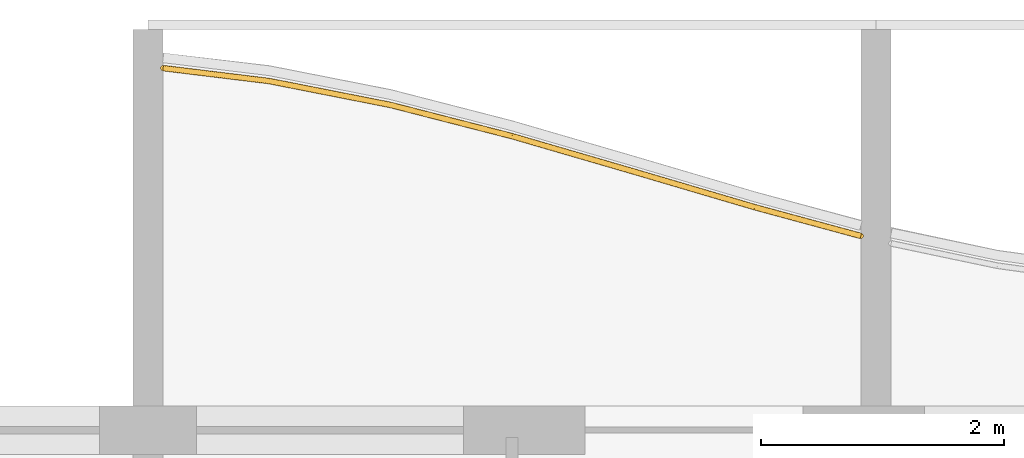
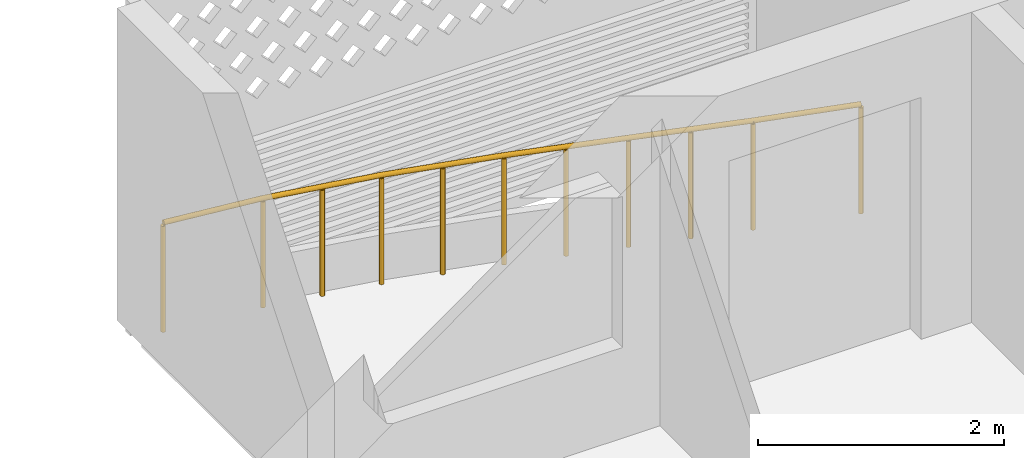
# One storey, part 16 of 27: 1 railing.
"""IFC4 building model written with IfcOpenShell, lengths in metres."""

from ifc_helpers import new_model, si_unit, direction, frame, origin, origin_2d, place, context, subcontext, project, spatial, circle, extrude, material, type_object, element, save


model = new_model("IFC4")

# Units and contexts
model_context = context("Model", 3, precision=1e-05, world=origin(), true_north=direction((0.0, 1.0)))
body_context = subcontext(model_context, "Body", "Model", "MODEL_VIEW")
ifc_project = project(units=[si_unit("LENGTHUNIT", "METRE"), si_unit("AREAUNIT", "SQUARE_METRE"), si_unit("VOLUMEUNIT", "CUBIC_METRE"), si_unit("PLANEANGLEUNIT", "RADIAN"), si_unit("MASSUNIT", "GRAM", prefix="KILO")], contexts=[model_context])

# Site, building, storey
site_placement = place(None, origin())
site = spatial("IfcSite", under=ifc_project, at=site_placement, CompositionType="ELEMENT")
building_placement = place(site_placement, origin())
building = spatial("IfcBuilding", under=site, at=building_placement, Name="Poui Terraces", CompositionType="ELEMENT")
storey_placement = place(building_placement, frame((0.0, 0.0, 251.10009765625)))
storey = spatial("IfcBuildingStorey", under=building, at=storey_placement, Name="L70", CompositionType="ELEMENT", Elevation=251.10009765625)

# Railing
ifc_material = material(Name="Painted steel fretwork", Category="steel")
railing_type = type_object("IfcRailingType", Name="BALCONY GUARD 1100", PredefinedType="GUARDRAIL", material=ifc_material)
railing_placement = place(storey_placement, frame((30.125, 44.18359375, 0.0)))
element("IfcRailing", 1, at=railing_placement, inside=storey, type_object=railing_type, Name="BALCONY GUARD", PredefinedType="GUARDRAIL", context=body_context, shape_type="SweptSolid", body=[
    extrude(circle(Radius=0.02392578125, at=origin_2d()), frame((0.0, 0.0, 1.076171875), z_axis=(0.992648312578, -0.121034406416, 0.0), x_axis=(0.121034406416, 0.992648312578, 0.0)), (0.0, 0.0, 1.0), 0.881591796875),
    extrude(circle(Radius=0.02392578125, at=origin_2d()), frame((0.875, -0.106689453125, 1.076171875), z_axis=(0.981138637459, -0.19330539073, 0.0), x_axis=(0.19330539073, 0.981138637459, 0.0)), (0.0, 0.0, 1.0), 1.019287109375),
    extrude(circle(Radius=0.02392578125, at=origin_2d()), frame((1.875, -0.3037109375, 1.076171875), z_axis=(0.968564592705, -0.248762195197, 0.0), x_axis=(0.248762195197, 0.968564592705, 0.0)), (0.0, 0.0, 1.0), 1.032470703125),
    extrude(circle(Radius=0.02392578125, at=origin_2d()), frame((2.875, -0.560546875, 1.076171875), z_axis=(0.960230728662, -0.279207714316, 0.0), x_axis=(0.279207714316, 0.960230728662, 0.0)), (0.0, 0.0, 1.0), 1.04150390625),
    extrude(circle(Radius=0.02392578125, at=origin_2d()), frame((3.875, -0.851318359375, 1.076171875), z_axis=(0.959219941058, -0.282660758998, 0.0), x_axis=(0.282660758998, 0.959219941058, 0.0)), (0.0, 0.0, 1.0), 1.04248046875),
    extrude(circle(Radius=0.02392578125, at=origin_2d()), frame((4.875, -1.14599609375, 1.076171875), z_axis=(0.965203717149, -0.261499109752, 0.0), x_axis=(0.261499109752, 0.965203717149, 0.0)), (0.0, 0.0, 1.0), 0.906494140625),
    extrude(circle(Radius=0.02099609375, at=origin_2d()), origin(), (0.0, 0.0, 1.0), 1.052001953125),
    extrude(circle(Radius=0.02099609375, at=origin_2d()), frame((0.875, -0.106689453125, 0.0)), (0.0, 0.0, 1.0), 1.052001953125),
    extrude(circle(Radius=0.02099609375, at=origin_2d()), frame((1.375, -0.205078125, 0.0)), (0.0, 0.0, 1.0), 1.052001953125),
    extrude(circle(Radius=0.02099609375, at=origin_2d()), frame((1.875, -0.3037109375, 0.0)), (0.0, 0.0, 1.0), 1.052001953125),
    extrude(circle(Radius=0.02099609375, at=origin_2d()), frame((2.375, -0.43212890625, 0.0)), (0.0, 0.0, 1.0), 1.052001953125),
    extrude(circle(Radius=0.02099609375, at=origin_2d()), frame((2.875, -0.560546875, 0.0)), (0.0, 0.0, 1.0), 1.052001953125),
    extrude(circle(Radius=0.02099609375, at=origin_2d()), frame((3.375, -0.7060546875, 0.0)), (0.0, 0.0, 1.0), 1.052001953125),
    extrude(circle(Radius=0.02099609375, at=origin_2d()), frame((3.875, -0.851318359375, 0.0)), (0.0, 0.0, 1.0), 1.052001953125),
    extrude(circle(Radius=0.02099609375, at=origin_2d()), frame((4.375, -0.99853515625, 0.0)), (0.0, 0.0, 1.0), 1.052001953125),
    extrude(circle(Radius=0.02099609375, at=origin_2d()), frame((4.875, -1.14599609375, 0.0)), (0.0, 0.0, 1.0), 1.052001953125),
    extrude(circle(Radius=0.02099609375, at=origin_2d()), frame((5.75, -1.383056640625, 0.0)), (0.0, 0.0, 1.0), 1.052001953125),
])

save(model, "model.ifc")
